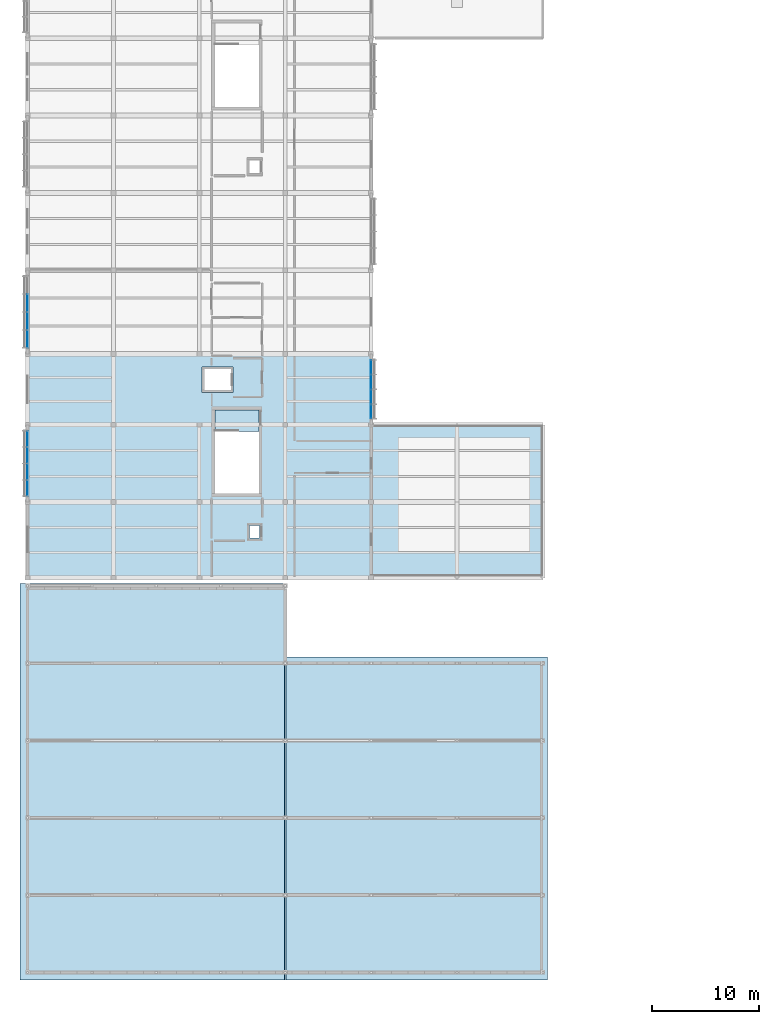
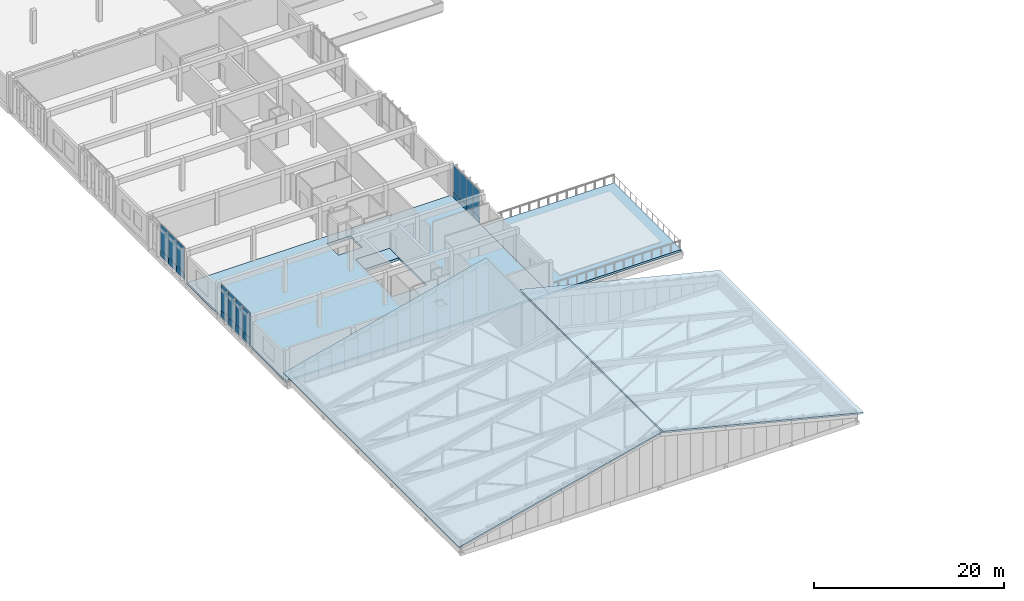
# One storey, part 78 of 107: 22 plates, 5 slabs, 3 elements without a shape of their own.
"""IFC4 building model written with IfcOpenShell, lengths in metres."""

from ifc_helpers import new_model, si_unit, direction, frame, origin, origin_2d, place, context, subcontext, project, spatial, polyline, rectangle, outline, extrude, material, layer, layer_set, type_object, element, aggregate, save


model = new_model("IFC4")

# Units and contexts
model_context = context("Model", 3, precision=1e-05, world=origin(), true_north=direction((0.0, 1.0)))
body_context = subcontext(model_context, "Body", "Model", "MODEL_VIEW")
ifc_project = project(units=[si_unit("LENGTHUNIT", "METRE"), si_unit("AREAUNIT", "SQUARE_METRE"), si_unit("VOLUMEUNIT", "CUBIC_METRE"), si_unit("PLANEANGLEUNIT", "RADIAN"), si_unit("MASSUNIT", "GRAM", prefix="KILO")], contexts=[model_context])

# Site, building, storey
site_placement = place(None, origin())
site = spatial("IfcSite", under=ifc_project, at=site_placement, CompositionType="ELEMENT")
building_placement = place(site_placement, origin())
building = spatial("IfcBuilding", under=site, at=building_placement, Name="Chiffa Square Polytechnic", CompositionType="ELEMENT")
storey_placement = place(building_placement, frame((0.0, 0.0, 13.800048828125)))
storey = spatial("IfcBuildingStorey", under=building, at=storey_placement, Name="L03", CompositionType="ELEMENT", Elevation=13.800048828125)

# Curtain wall, plates
ifc_material_1 = material(Name="Aluminium EN AW-6060 T66 and glulam shading", Category="wood")
curtain_wall_type_1 = type_object("IfcCurtainWallType", Name="CW-VERT-300X380", PredefinedType="USERDEFINED", material=ifc_material_1)
curtain_wall_1_placement = place(storey_placement, origin())
curtain_wall_1 = element("IfcCurtainWall", 1, at=curtain_wall_1_placement, inside=storey, type_object=curtain_wall_type_1, Name="Curtain wall CW-V6-L03-275", ObjectType="CURTAIN WALL", PredefinedType="USERDEFINED")
ifc_material_2 = material(Name="Double glazing", Category="glass")
ifc_layer_1 = layer(ifc_material_2, 0.0458984375, Name="Double glazing")
ifc_layer_set_1 = layer_set([ifc_layer_1], Name="Double glazing")
plate_type_1 = type_object("IfcPlateType", Name="CWP-GLZ-128X106", PredefinedType="CURTAIN_PANEL", material=ifc_layer_set_1)
plate_1_placement = place(storey_placement, frame((0.0, 62.340087890625, 0.83984375), z_axis=(0.0, 0.0, 1.0), x_axis=(0.0, -1.0, 0.0)))
plate_1 = element("IfcPlate", 2, at=plate_1_placement, type_object=plate_type_1, Name="Glazed curtain panel CW-V6-L03-275-PN02", PredefinedType="CURTAIN_PANEL", context=body_context, shape_type="SweptSolid", body=[
    extrude(rectangle(XDim=1.6279296875, YDim=0.0458984375, at=origin_2d()), origin(), (0.0, 0.0, 1.0), 3.31005859375),
])
plate_2_placement = place(storey_placement, frame((0.0, 60.659912109375, 0.83984375), z_axis=(0.0, 0.0, 1.0), x_axis=(0.0, -1.0, 0.0)))
plate_2 = element("IfcPlate", 3, at=plate_2_placement, type_object=plate_type_1, Name="Glazed curtain panel CW-V6-L03-275-PN03", PredefinedType="CURTAIN_PANEL", context=body_context, shape_type="SweptSolid", body=[
    extrude(rectangle(XDim=1.6279296875, YDim=0.0458984375, at=origin_2d()), origin(), (0.0, 0.0, 1.0), 3.31005859375),
])
plate_3_placement = place(storey_placement, frame((0.0, 58.990966796875, 0.83984375), z_axis=(0.0, 0.0, 1.0), x_axis=(0.0, -1.0, 0.0)))
plate_3 = element("IfcPlate", 4, at=plate_3_placement, type_object=plate_type_1, Name="Glazed curtain panel CW-V6-L03-275-PN04", PredefinedType="CURTAIN_PANEL", context=body_context, shape_type="SweptSolid", body=[
    extrude(rectangle(XDim=1.60595703125, YDim=0.0458984375, at=origin_2d()), origin(), (0.0, 0.0, 1.0), 3.31005859375),
])

curtain_wall_type_2 = type_object("IfcCurtainWallType", Name="CW-VERT-480X380", PredefinedType="USERDEFINED", material=ifc_material_1)
curtain_wall_2_placement = place(storey_placement, origin())
curtain_wall_2 = element("IfcCurtainWall", 5, at=curtain_wall_2_placement, inside=storey, type_object=curtain_wall_type_2, Name="Curtain wall CW-V6-L03-270", ObjectType="CURTAIN WALL", PredefinedType="USERDEFINED")
ifc_layer_2 = layer(ifc_material_2, 0.0419921875, Name="Double glazing")
ifc_layer_set_2 = layer_set([ifc_layer_2], Name="Double glazing")
plate_type_2 = type_object("IfcPlateType", Name="CWP-GLZ-138X126", PredefinedType="CURTAIN_PANEL", material=ifc_layer_set_2)
plate_4_placement = place(storey_placement, frame((32.0, 52.240966796875, 0.83984375), z_axis=(0.0, 0.0, 1.0), x_axis=(0.0, 1.0, 0.0)))
plate_4 = element("IfcPlate", 6, at=plate_4_placement, type_object=plate_type_2, Name="Glazed curtain panel CW-V6-L03-270-PN01", PredefinedType="CURTAIN_PANEL", context=body_context, shape_type="SweptSolid", body=[
    extrude(rectangle(XDim=1.305908203125, YDim=0.0419921875, at=origin_2d()), origin(), (0.0, 0.0, 1.0), 3.31005859375),
])
plate_5_placement = place(storey_placement, frame((32.0, 53.610107421875, 0.83984375), z_axis=(0.0, 0.0, 1.0), x_axis=(0.0, 1.0, 0.0)))
plate_5 = element("IfcPlate", 7, at=plate_5_placement, type_object=plate_type_2, Name="Glazed curtain panel CW-V6-L03-270-PN02", PredefinedType="CURTAIN_PANEL", context=body_context, shape_type="SweptSolid", body=[
    extrude(rectangle(XDim=1.327880859375, YDim=0.0419921875, at=origin_2d()), origin(), (0.0, 0.0, 1.0), 3.31005859375),
])
plate_6_placement = place(storey_placement, frame((32.0, 54.989990234375, 0.83984375), z_axis=(0.0, 0.0, 1.0), x_axis=(0.0, 1.0, 0.0)))
plate_6 = element("IfcPlate", 8, at=plate_6_placement, type_object=plate_type_2, Name="Glazed curtain panel CW-V6-L03-270-PN03", PredefinedType="CURTAIN_PANEL", context=body_context, shape_type="SweptSolid", body=[
    extrude(rectangle(XDim=1.327880859375, YDim=0.0419921875, at=origin_2d()), origin(), (0.0, 0.0, 1.0), 3.31005859375),
])
plate_7_placement = place(storey_placement, frame((32.0, 56.35888671875, 0.83984375), z_axis=(0.0, 0.0, 1.0), x_axis=(0.0, 1.0, 0.0)))
plate_7 = element("IfcPlate", 9, at=plate_7_placement, type_object=plate_type_2, Name="Glazed curtain panel CW-V6-L03-270-PN04", PredefinedType="CURTAIN_PANEL", context=body_context, shape_type="SweptSolid", body=[
    extrude(rectangle(XDim=1.305908203125, YDim=0.0419921875, at=origin_2d()), origin(), (0.0, 0.0, 1.0), 3.31005859375),
])

curtain_wall_type_3 = type_object("IfcCurtainWallType", Name="CW-VERT-600X380", PredefinedType="USERDEFINED", material=ifc_material_1)
curtain_wall_3_placement = place(storey_placement, origin())
curtain_wall_3 = element("IfcCurtainWall", 10, at=curtain_wall_3_placement, inside=storey, type_object=curtain_wall_type_3, Name="Curtain wall CW-V6-L03-276", ObjectType="CURTAIN WALL", PredefinedType="USERDEFINED")
ifc_layer_3 = layer(ifc_material_2, 0.035888671875, Name="Double glazing")
ifc_layer_set_3 = layer_set([ifc_layer_3], Name="Double glazing")
plate_type_3 = type_object("IfcPlateType", Name="CWP-GLZ-150X145", PredefinedType="CURTAIN_PANEL", material=ifc_layer_set_3)
plate_8_placement = place(storey_placement, frame((0.0, 49.68408203125, 0.83984375), z_axis=(0.0, 0.0, 1.0), x_axis=(0.0, -1.0, 0.0)))
plate_8 = element("IfcPlate", 11, at=plate_8_placement, type_object=plate_type_3, Name="Glazed curtain panel CW-V6-L03-276-PN01", PredefinedType="CURTAIN_PANEL", context=body_context, shape_type="SweptSolid", body=[
    extrude(rectangle(XDim=1.4560546875, YDim=0.035888671875, at=origin_2d()), origin(), (0.0, 0.0, 1.0), 3.31005859375),
])
plate_9_placement = place(storey_placement, frame((0.0, 48.1650390625, 0.83984375), z_axis=(0.0, 0.0, 1.0), x_axis=(0.0, -1.0, 0.0)))
plate_9 = element("IfcPlate", 12, at=plate_9_placement, type_object=plate_type_3, Name="Glazed curtain panel CW-V6-L03-276-PN02", PredefinedType="CURTAIN_PANEL", context=body_context, shape_type="SweptSolid", body=[
    extrude(rectangle(XDim=1.47802734375, YDim=0.035888671875, at=origin_2d()), origin(), (0.0, 0.0, 1.0), 3.31005859375),
])
plate_10_placement = place(storey_placement, frame((0.0, 46.635009765625, 0.83984375), z_axis=(0.0, 0.0, 1.0), x_axis=(0.0, -1.0, 0.0)))
plate_10 = element("IfcPlate", 13, at=plate_10_placement, type_object=plate_type_3, Name="Glazed curtain panel CW-V6-L03-276-PN03", PredefinedType="CURTAIN_PANEL", context=body_context, shape_type="SweptSolid", body=[
    extrude(rectangle(XDim=1.47802734375, YDim=0.035888671875, at=origin_2d()), origin(), (0.0, 0.0, 1.0), 3.31005859375),
])
plate_11_placement = place(storey_placement, frame((0.0, 45.115966796875, 0.83984375), z_axis=(0.0, 0.0, 1.0), x_axis=(0.0, -1.0, 0.0)))
plate_11 = element("IfcPlate", 14, at=plate_11_placement, type_object=plate_type_3, Name="Glazed curtain panel CW-V6-L03-276-PN04", PredefinedType="CURTAIN_PANEL", context=body_context, shape_type="SweptSolid", body=[
    extrude(rectangle(XDim=1.4560546875, YDim=0.035888671875, at=origin_2d()), origin(), (0.0, 0.0, 1.0), 3.31005859375),
])
ifc_material_3 = material(Name="Aluminium insulated spandrel", Category="aluminium")
ifc_layer_4 = layer(ifc_material_3, 0.070068359375, Name="Aluminium insulated spandrel")
ifc_layer_set_4 = layer_set([ifc_layer_4], Name="Aluminium insulated spandrel")
plate_type_4 = type_object("IfcPlateType", Name="CWP-SPN-138X074", PredefinedType="SHEET", material=ifc_layer_set_4)
plate_12_placement = place(storey_placement, frame((0.0, 49.68408203125, 0.050048828125), z_axis=(0.0, 0.0, 1.0), x_axis=(0.0, -1.0, 0.0)))
plate_12 = element("IfcPlate", 15, at=plate_12_placement, type_object=plate_type_4, Name="Spandrel panel CW-V6-L03-276-SP01", PredefinedType="SHEET", context=body_context, shape_type="SweptSolid", body=[
    extrude(rectangle(XDim=1.4560546875, YDim=0.070068359375, at=origin_2d()), origin(), (0.0, 0.0, 1.0), 0.75),
])
plate_13_placement = place(storey_placement, frame((0.0, 48.1650390625, 0.050048828125), z_axis=(0.0, 0.0, 1.0), x_axis=(0.0, -1.0, 0.0)))
plate_13 = element("IfcPlate", 16, at=plate_13_placement, type_object=plate_type_4, Name="Spandrel panel CW-V6-L03-276-SP02", PredefinedType="SHEET", context=body_context, shape_type="SweptSolid", body=[
    extrude(rectangle(XDim=1.47802734375, YDim=0.070068359375, at=origin_2d()), origin(), (0.0, 0.0, 1.0), 0.75),
])
plate_14_placement = place(storey_placement, frame((0.0, 46.635009765625, 0.050048828125), z_axis=(0.0, 0.0, 1.0), x_axis=(0.0, -1.0, 0.0)))
plate_14 = element("IfcPlate", 17, at=plate_14_placement, type_object=plate_type_4, Name="Spandrel panel CW-V6-L03-276-SP03", PredefinedType="SHEET", context=body_context, shape_type="SweptSolid", body=[
    extrude(rectangle(XDim=1.47802734375, YDim=0.070068359375, at=origin_2d()), origin(), (0.0, 0.0, 1.0), 0.75),
])
plate_15_placement = place(storey_placement, frame((0.0, 45.115966796875, 0.050048828125), z_axis=(0.0, 0.0, 1.0), x_axis=(0.0, -1.0, 0.0)))
plate_15 = element("IfcPlate", 18, at=plate_15_placement, type_object=plate_type_4, Name="Spandrel panel CW-V6-L03-276-SP04", PredefinedType="SHEET", context=body_context, shape_type="SweptSolid", body=[
    extrude(rectangle(XDim=1.4560546875, YDim=0.070068359375, at=origin_2d()), origin(), (0.0, 0.0, 1.0), 0.75),
])
aggregate(curtain_wall_3, [plate_12, plate_8, plate_13, plate_9, plate_14, plate_10, plate_15, plate_11])

# Plate
ifc_layer_5 = layer(ifc_material_3, 0.068115234375, Name="Aluminium insulated spandrel")
ifc_layer_set_5 = layer_set([ifc_layer_5], Name="Aluminium insulated spandrel")
plate_type_5 = type_object("IfcPlateType", Name="CWP-SPN-140X076", PredefinedType="SHEET", material=ifc_layer_set_5)
plate_16_placement = place(storey_placement, frame((0.0, 62.340087890625, 0.050048828125), z_axis=(0.0, 0.0, 1.0), x_axis=(0.0, -1.0, 0.0)))
plate_16 = element("IfcPlate", 19, at=plate_16_placement, type_object=plate_type_5, Name="Spandrel panel CW-V6-L03-275-SP02", PredefinedType="SHEET", context=body_context, shape_type="SweptSolid", body=[
    extrude(rectangle(XDim=1.6279296875, YDim=0.068115234375, at=origin_2d()), origin(), (0.0, 0.0, 1.0), 0.75),
])

plate_17_placement = place(storey_placement, frame((0.0, 60.659912109375, 0.050048828125), z_axis=(0.0, 0.0, 1.0), x_axis=(0.0, -1.0, 0.0)))
plate_17 = element("IfcPlate", 20, at=plate_17_placement, type_object=plate_type_5, Name="Spandrel panel CW-V6-L03-275-SP03", PredefinedType="SHEET", context=body_context, shape_type="SweptSolid", body=[
    extrude(rectangle(XDim=1.6279296875, YDim=0.068115234375, at=origin_2d()), origin(), (0.0, 0.0, 1.0), 0.75),
])

plate_18_placement = place(storey_placement, frame((0.0, 58.990966796875, 0.050048828125), z_axis=(0.0, 0.0, 1.0), x_axis=(0.0, -1.0, 0.0)))
plate_18 = element("IfcPlate", 21, at=plate_18_placement, type_object=plate_type_5, Name="Spandrel panel CW-V6-L03-275-SP04", PredefinedType="SHEET", context=body_context, shape_type="SweptSolid", body=[
    extrude(rectangle(XDim=1.60595703125, YDim=0.068115234375, at=origin_2d()), origin(), (0.0, 0.0, 1.0), 0.75),
])

aggregate(curtain_wall_1, [plate_16, plate_1, plate_17, plate_2, plate_18, plate_3])

ifc_layer_6 = layer(ifc_material_3, 0.06005859375, Name="Aluminium insulated spandrel")
ifc_layer_set_6 = layer_set([ifc_layer_6], Name="Aluminium insulated spandrel")
plate_type_6 = type_object("IfcPlateType", Name="CWP-SPN-150X095", PredefinedType="SHEET", material=ifc_layer_set_6)
plate_19_placement = place(storey_placement, frame((32.0, 52.240966796875, 0.050048828125), z_axis=(0.0, 0.0, 1.0), x_axis=(0.0, 1.0, 0.0)))
plate_19 = element("IfcPlate", 22, at=plate_19_placement, type_object=plate_type_6, Name="Spandrel panel CW-V6-L03-270-SP01", PredefinedType="SHEET", context=body_context, shape_type="SweptSolid", body=[
    extrude(rectangle(XDim=1.305908203125, YDim=0.06005859375, at=origin_2d()), origin(), (0.0, 0.0, 1.0), 0.75),
])

plate_20_placement = place(storey_placement, frame((32.0, 53.610107421875, 0.050048828125), z_axis=(0.0, 0.0, 1.0), x_axis=(0.0, 1.0, 0.0)))
plate_20 = element("IfcPlate", 23, at=plate_20_placement, type_object=plate_type_6, Name="Spandrel panel CW-V6-L03-270-SP02", PredefinedType="SHEET", context=body_context, shape_type="SweptSolid", body=[
    extrude(rectangle(XDim=1.327880859375, YDim=0.06005859375, at=origin_2d()), origin(), (0.0, 0.0, 1.0), 0.75),
])

plate_21_placement = place(storey_placement, frame((32.0, 54.989990234375, 0.050048828125), z_axis=(0.0, 0.0, 1.0), x_axis=(0.0, 1.0, 0.0)))
plate_21 = element("IfcPlate", 24, at=plate_21_placement, type_object=plate_type_6, Name="Spandrel panel CW-V6-L03-270-SP03", PredefinedType="SHEET", context=body_context, shape_type="SweptSolid", body=[
    extrude(rectangle(XDim=1.327880859375, YDim=0.06005859375, at=origin_2d()), origin(), (0.0, 0.0, 1.0), 0.75),
])

plate_22_placement = place(storey_placement, frame((32.0, 56.35888671875, 0.050048828125), z_axis=(0.0, 0.0, 1.0), x_axis=(0.0, 1.0, 0.0)))
plate_22 = element("IfcPlate", 25, at=plate_22_placement, type_object=plate_type_6, Name="Spandrel panel CW-V6-L03-270-SP04", PredefinedType="SHEET", context=body_context, shape_type="SweptSolid", body=[
    extrude(rectangle(XDim=1.305908203125, YDim=0.06005859375, at=origin_2d()), origin(), (0.0, 0.0, 1.0), 0.75),
])

aggregate(curtain_wall_2, [plate_19, plate_4, plate_20, plate_5, plate_21, plate_6, plate_22, plate_7])

# Slabs
ifc_material_4 = material(Name="Concrete C35/45", Category="concrete")
ifc_layer_7 = layer(ifc_material_4, 0.260009765625, Name="Concrete C35/45")
ifc_layer_set_7 = layer_set([ifc_layer_7], Name="Concrete C35/45")
slab_type_1 = type_object("IfcSlabType", Name="SLB-FLR-260", PredefinedType="FLOOR", material=ifc_layer_set_7)
slab_1_placement = place(storey_placement, frame((0.0, 0.0, -0.260009765625)))
element("IfcSlab", 26, at=slab_1_placement, inside=storey, type_object=slab_type_1, Name="V6 L03 structural slab SLB-V6-L03-056", PredefinedType="FLOOR", context=body_context, shape_type="SweptSolid", body=[
    extrude(outline(polyline([(32.0, 36.85009765625), (0.0, 36.85009765625), (0.0, 57.60009765625), (32.0, 57.60009765625), (32.0, 36.85009765625)]), holes=[polyline([(21.550048828125, 52.39990234375), (21.550048828125, 44.60009765625), (17.449951171875, 44.60009765625), (17.449951171875, 52.39990234375), (21.550048828125, 52.39990234375)]), polyline([(16.25, 56.39990234375), (19.14990234375, 56.39990234375), (19.14990234375, 54.0), (16.25, 54.0), (16.25, 56.39990234375)]), polyline([(20.679931640625, 41.60009765625), (21.6201171875, 41.60009765625), (21.6201171875, 40.449951171875), (20.679931640625, 40.449951171875), (20.679931640625, 41.60009765625)])]), origin(), (0.0, 0.0, 1.0), 0.260009765625),
])
ifc_material_5 = material(Name="Concrete C40/50", Category="concrete")
ifc_layer_8 = layer(ifc_material_5, 0.35009765625, Name="Concrete C40/50")
ifc_layer_set_8 = layer_set([ifc_layer_8], Name="Concrete C40/50")
slab_type_2 = type_object("IfcSlabType", Name="SLB-FLR-350", PredefinedType="FLOOR", material=ifc_layer_set_8)
slab_2_placement = place(storey_placement, frame((0.0, 0.0, -0.35009765625)))
element("IfcSlab", 27, at=slab_2_placement, inside=storey, type_object=slab_type_2, Name="Stair core floor landing slab SLB-CORE-CORE-V6A-L03", PredefinedType="FLOOR", context=body_context, shape_type="SweptSolid", body=[
    extrude(outline(polyline([(17.449951171875, 52.39990234375), (17.449951171875, 50.387939453125), (21.550048828125, 50.387939453125), (21.550048828125, 52.39990234375), (17.449951171875, 52.39990234375)])), origin(), (0.0, 0.0, 1.0), 0.35009765625),
])
ifc_material_6 = material(Name="CLT C24", Category="wood")
ifc_layer_9 = layer(ifc_material_6, 0.199951171875, Name="CLT C24")
ifc_layer_set_9 = layer_set([ifc_layer_9], Name="CLT C24")
slab_type_3 = type_object("IfcSlabType", Name="SLB-ROOF-200", PredefinedType="ROOF", material=ifc_layer_set_9)
slab_3_placement = place(storey_placement, frame((-0.699951171875, -0.699951171875, 1.636962890625), z_axis=(-0.242682751059, 0.0, 0.970105706786), x_axis=(0.970105706786, 0.0, 0.242682751059)))
element("IfcSlab", 28, at=slab_3_placement, inside=storey, type_object=slab_type_3, Name="Lecture pavilion west sloped roof slab SLB-ROOF-V3-W", PredefinedType="ROOF", context=body_context, shape_type="SweptSolid", body=[
    extrude(outline(polyline([(0.0, 0.0), (25.378546765226776, 0.0), (25.378546765226776, 36.89990234374999), (0.0, 36.89990234374999), (0.0, 0.0)])), origin(), (0.0, 0.0, -1.0), 0.199951171875),
])
slab_4_placement = place(storey_placement, frame((24.080078125, -0.699951171875, 7.7958984375), z_axis=(0.241935103999, 0.0, 0.970292432957), x_axis=(0.970292432957, 0.0, -0.241935103999)))
element("IfcSlab", 29, at=slab_4_placement, inside=storey, type_object=slab_type_3, Name="Lecture pavilion east sloped roof slab SLB-ROOF-V3-E", PredefinedType="ROOF", context=body_context, shape_type="SweptSolid", body=[
    extrude(outline(polyline([(0.0, 0.0), (25.064427375408663, 0.0), (25.064427375408663, 30.099853515625), (0.0, 30.099853515625), (0.0, 0.0)])), origin(), (0.0, 0.0, -1.0), 0.199951171875),
])
ifc_layer_10 = layer(ifc_material_5, 0.260009765625, Name="Concrete C40/50")
ifc_layer_set_10 = layer_set([ifc_layer_10], Name="Concrete C40/50")
slab_type_4 = type_object("IfcSlabType", Name="SLB-TERR-260", PredefinedType="FLOOR", material=ifc_layer_set_10)
slab_5_placement = place(storey_placement, frame((0.0, 0.0, -0.260009765625)))
element("IfcSlab", 30, at=slab_5_placement, inside=storey, type_object=slab_type_4, Name="Studio courtyard roof garden terrace SLB-V6-TERR-L03", PredefinedType="FLOOR", context=body_context, shape_type="SweptSolid", body=[
    extrude(outline(polyline([(32.0, 36.85009765625), (48.0, 36.85009765625), (48.0, 51.0), (32.0, 51.0), (32.0, 36.85009765625)])), origin(), (0.0, 0.0, 1.0), 0.260009765625),
])

save(model, "model.ifc")
